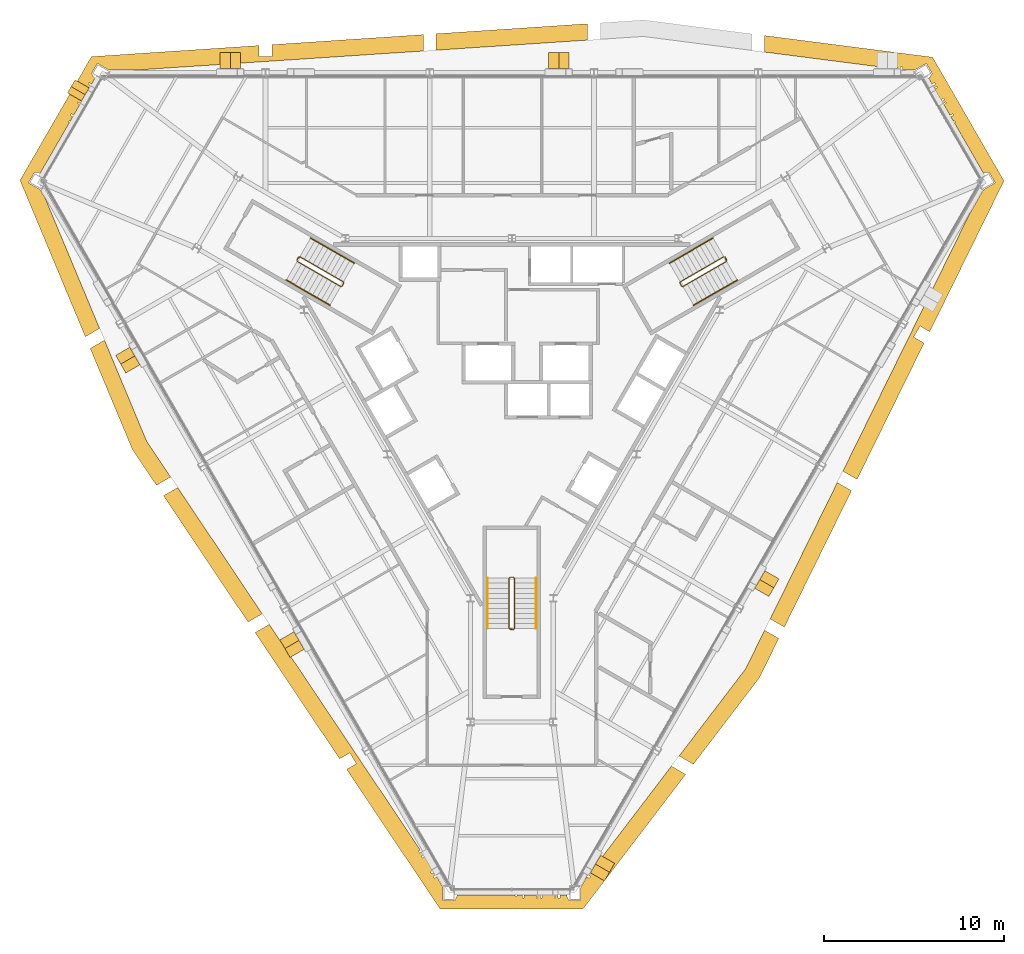
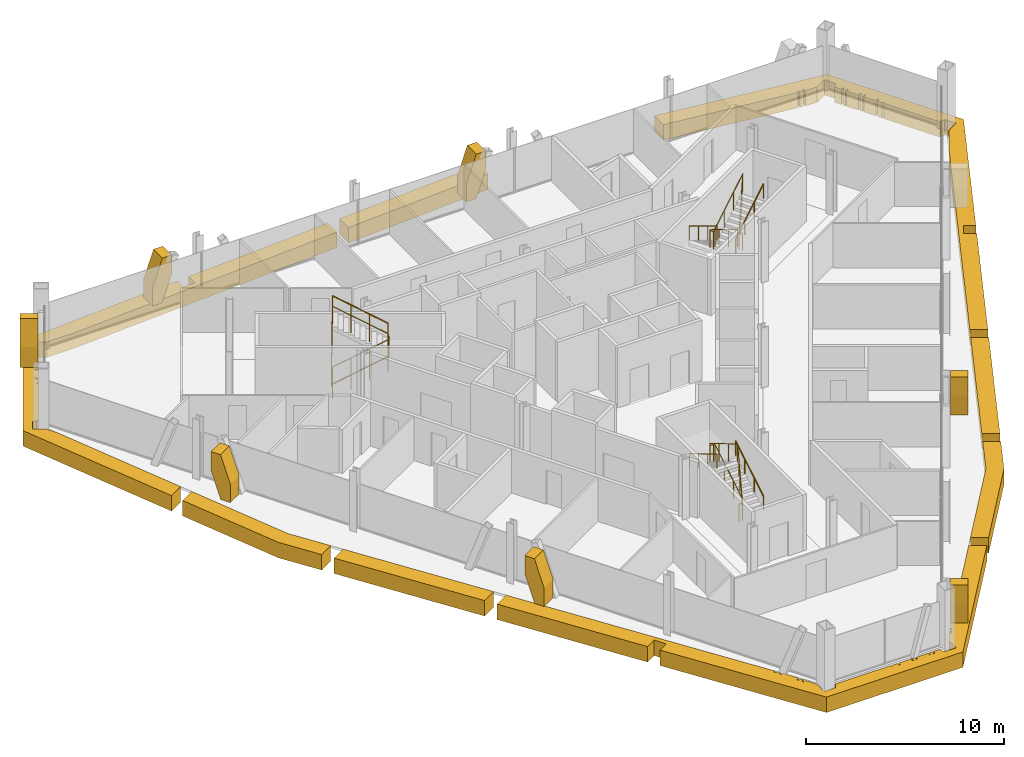
# One storey, part 14 of 15: 15 coverings, 9 railings.
"""IFC4 building model written with IfcOpenShell, lengths in metres."""

from ifc_helpers import new_model, si_unit, direction, frame, origin, origin_2d, place, context, subcontext, project, spatial, polyline, circle, outline, extrude, material, layer, layer_set, type_object, element, save


model = new_model("IFC4")

# Units and contexts
model_context = context("Model", 3, precision=1e-05, world=origin(), true_north=direction((0.0, 1.0)))
body_context = subcontext(model_context, "Body", "Model", "MODEL_VIEW")
ifc_project = project(units=[si_unit("LENGTHUNIT", "METRE"), si_unit("AREAUNIT", "SQUARE_METRE"), si_unit("VOLUMEUNIT", "CUBIC_METRE"), si_unit("PLANEANGLEUNIT", "RADIAN"), si_unit("MASSUNIT", "GRAM", prefix="KILO")], contexts=[model_context])

# Site, building, storey
site_placement = place(None, origin())
site = spatial("IfcSite", under=ifc_project, at=site_placement, CompositionType="ELEMENT")
building_placement = place(site_placement, origin())
building = spatial("IfcBuilding", under=site, at=building_placement, Name="Verrane Prism Tower", CompositionType="ELEMENT")
storey_placement = place(building_placement, frame((0.0, 0.0, 250.800048828125)))
storey = spatial("IfcBuildingStorey", under=building, at=storey_placement, Name="L63", CompositionType="ELEMENT", Elevation=250.800048828125)

# Railings
ifc_material_1 = material(Name="Steel A36 rail and posts, no infill", Category="steel")
railing_type_1 = type_object("IfcRailingType", Name="Stair guard 1100 steel rail and posts", PredefinedType="GUARDRAIL", material=ifc_material_1)
railing_1_placement = place(storey_placement, frame((11.78955078125, 6.97998046875, 0.168212890625)))
element("IfcRailing", 1, at=railing_1_placement, inside=storey, type_object=railing_type_1, Name="Stair 1 guard", PredefinedType="GUARDRAIL", context=body_context, shape_type="SweptSolid", body=[
    extrude(circle(Radius=0.02392578125, at=origin_2d()), frame((0.0, 0.0, 1.076171875), z_axis=(-0.742395268701, -0.428678701772, 0.514862928999), x_axis=(0.500049511043, -0.865996816683, 0.0)), (0.0, 0.0, 1.0), 3.26611328125),
    extrude(circle(Radius=0.02392578125, at=origin_2d()), frame((-2.4248046875, -1.400146484375, 2.7578125), z_axis=(-0.259601060869, -0.965715946433, 0.0), x_axis=(0.965715946433, -0.259601060869, 0.0)), (0.0, 0.0, 1.0), 0.070556640625),
    extrude(circle(Radius=0.02392578125, at=origin_2d()), frame((-2.443115234375, -1.46826171875, 2.7578125), z_axis=(0.499158860599, -0.866510491504, 0.0), x_axis=(0.866510491504, 0.499158860599, 0.0)), (0.0, 0.0, 1.0), 0.199951171875),
    extrude(circle(Radius=0.02392578125, at=origin_2d()), frame((-2.34326171875, -1.6416015625, 2.7578125), z_axis=(0.374585375571, -0.100335368456, 0.921747584887), x_axis=(0.258736085224, 0.965948051503, 0.0)), (0.0, 0.0, 1.0), 0.182373046875),
    extrude(circle(Radius=0.02392578125, at=origin_2d()), frame((-2.27490234375, -1.659912109375, 2.92578125), z_axis=(0.742366697286, 0.42866220388, 0.514917859203), x_axis=(-0.500049511043, 0.865996816683, 0.0)), (0.0, 0.0, 1.0), 3.266357421875),
    extrude(circle(Radius=0.02392578125, at=origin_2d()), frame((0.14990234375, -0.259765625, 4.60791015625), z_axis=(-0.021986835041, 0.065104730107, -0.997636182785), x_axis=(-0.947430582667, -0.3199613899, 0.0)), (0.0, 0.0, 1.0), 3.708740234375),
    extrude(circle(Radius=0.02392578125, at=origin_2d()), frame((0.068359375, -0.018310546875, 0.90771484375), z_axis=(0.499158860599, -0.866510491504, 0.0), x_axis=(0.866510491504, 0.499158860599, 0.0)), (0.0, 0.0, 1.0), 0.199951171875),
    extrude(circle(Radius=0.02099609375, at=origin_2d()), origin(), (0.0, 0.0, 1.0), 1.052001953125),
    extrude(circle(Radius=0.02099609375, at=origin_2d()), frame((-0.808349609375, -0.466796875, 0.560546875)), (0.0, 0.0, 1.0), 1.052001953125),
    extrude(circle(Radius=0.02099609375, at=origin_2d()), frame((-1.616455078125, -0.933349609375, 1.12109375)), (0.0, 0.0, 1.0), 1.052001953125),
    extrude(circle(Radius=0.02099609375, at=origin_2d()), frame((-2.4248046875, -1.400146484375, 1.681640625)), (0.0, 0.0, 1.0), 1.052001953125),
    extrude(circle(Radius=0.02099609375, at=origin_2d()), frame((-2.443115234375, -1.46826171875, 1.681640625)), (0.0, 0.0, 1.0), 1.052001953125),
    extrude(circle(Radius=0.02099609375, at=origin_2d()), frame((-2.34326171875, -1.6416015625, 1.681640625)), (0.0, 0.0, 1.0), 1.052001953125),
    extrude(circle(Radius=0.02099609375, at=origin_2d()), frame((-2.27490234375, -1.659912109375, 1.849853515625)), (0.0, 0.0, 1.0), 1.052001953125),
    extrude(circle(Radius=0.02099609375, at=origin_2d()), frame((-1.466552734375, -1.193115234375, 2.410400390625)), (0.0, 0.0, 1.0), 1.052001953125),
    extrude(circle(Radius=0.02099609375, at=origin_2d()), frame((-0.658447265625, -0.7265625, 2.97119140625)), (0.0, 0.0, 1.0), 1.052001953125),
    extrude(circle(Radius=0.02099609375, at=origin_2d()), frame((0.14990234375, -0.259765625, 3.53173828125)), (0.0, 0.0, 1.0), 1.052001953125),
    extrude(circle(Radius=0.02099609375, at=origin_2d()), frame((0.12939453125, -0.199462890625, 2.606689453125)), (0.0, 0.0, 1.0), 1.052001953125),
    extrude(circle(Radius=0.02099609375, at=origin_2d()), frame((0.109130859375, -0.13916015625, 1.681640625)), (0.0, 0.0, 1.0), 1.052001953125),
    extrude(circle(Radius=0.02099609375, at=origin_2d()), frame((0.0888671875, -0.07861328125, 0.7568359375)), (0.0, 0.0, 1.0), 1.052001953125),
    extrude(circle(Radius=0.02099609375, at=origin_2d()), frame((0.068359375, -0.018310546875, -0.168212890625)), (0.0, 0.0, 1.0), 1.052001953125),
    extrude(circle(Radius=0.02099609375, at=origin_2d()), frame((0.168212890625, -0.191650390625, -0.168212890625)), (0.0, 0.0, 1.0), 1.052001953125),
])
railing_2_placement = place(storey_placement, frame((-11.939453125, 6.72021484375, 0.168212890625)))
element("IfcRailing", 2, at=railing_2_placement, inside=storey, type_object=railing_type_1, Name="Stair 2 guard", PredefinedType="GUARDRAIL", context=body_context, shape_type="SweptSolid", body=[
    extrude(circle(Radius=0.02392578125, at=origin_2d()), frame((0.0, 0.0, 1.076171875), z_axis=(0.742395268701, -0.428678701772, 0.514862928999), x_axis=(0.500049511043, 0.865996816683, 0.0)), (0.0, 0.0, 1.0), 3.26611328125),
    extrude(circle(Radius=0.02392578125, at=origin_2d()), frame((2.4248046875, -1.400146484375, 2.7578125), z_axis=(0.965948051503, 0.258736085224, 0.0), x_axis=(-0.258736085224, 0.965948051503, 0.0)), (0.0, 0.0, 1.0), 0.07080078125),
    extrude(circle(Radius=0.02392578125, at=origin_2d()), frame((2.4931640625, -1.3818359375, 2.7578125), z_axis=(0.499158860599, 0.866510491504, 0.0), x_axis=(-0.866510491504, 0.499158860599, 0.0)), (0.0, 0.0, 1.0), 0.199951171875),
    extrude(circle(Radius=0.02392578125, at=origin_2d()), frame((2.593017578125, -1.20849609375, 2.7578125), z_axis=(-0.100385596638, 0.373434419493, 0.922209014446), x_axis=(-0.965715946433, -0.259601060869, 0.0)), (0.0, 0.0, 1.0), 0.182373046875),
    extrude(circle(Radius=0.02392578125, at=origin_2d()), frame((2.57470703125, -1.140380859375, 2.92578125), z_axis=(-0.742366697286, 0.42866220388, 0.514917859203), x_axis=(-0.500049511043, -0.865996816683, 0.0)), (0.0, 0.0, 1.0), 3.266357421875),
    extrude(circle(Radius=0.02392578125, at=origin_2d()), frame((0.14990234375, 0.259765625, 4.60791015625), z_axis=(-0.04535595117, -0.051675503147, -0.99763343973), x_axis=(0.751567565678, -0.659656118156, 0.0)), (0.0, 0.0, 1.0), 3.708740234375),
    extrude(circle(Radius=0.02392578125, at=origin_2d()), frame((-0.018310546875, 0.068115234375, 0.90771484375), z_axis=(0.499158860599, 0.866510491504, 0.0), x_axis=(-0.866510491504, 0.499158860599, 0.0)), (0.0, 0.0, 1.0), 0.199951171875),
    extrude(circle(Radius=0.02099609375, at=origin_2d()), origin(), (0.0, 0.0, 1.0), 1.052001953125),
    extrude(circle(Radius=0.02099609375, at=origin_2d()), frame((0.808349609375, -0.466796875, 0.560546875)), (0.0, 0.0, 1.0), 1.052001953125),
    extrude(circle(Radius=0.02099609375, at=origin_2d()), frame((1.616455078125, -0.933349609375, 1.12109375)), (0.0, 0.0, 1.0), 1.052001953125),
    extrude(circle(Radius=0.02099609375, at=origin_2d()), frame((2.4248046875, -1.400146484375, 1.681640625)), (0.0, 0.0, 1.0), 1.052001953125),
    extrude(circle(Radius=0.02099609375, at=origin_2d()), frame((2.4931640625, -1.3818359375, 1.681640625)), (0.0, 0.0, 1.0), 1.052001953125),
    extrude(circle(Radius=0.02099609375, at=origin_2d()), frame((2.593017578125, -1.20849609375, 1.681640625)), (0.0, 0.0, 1.0), 1.052001953125),
    extrude(circle(Radius=0.02099609375, at=origin_2d()), frame((2.57470703125, -1.140380859375, 1.849853515625)), (0.0, 0.0, 1.0), 1.052001953125),
    extrude(circle(Radius=0.02099609375, at=origin_2d()), frame((1.766357421875, -0.673583984375, 2.410400390625)), (0.0, 0.0, 1.0), 1.052001953125),
    extrude(circle(Radius=0.02099609375, at=origin_2d()), frame((0.958251953125, -0.20703125, 2.97119140625)), (0.0, 0.0, 1.0), 1.052001953125),
    extrude(circle(Radius=0.02099609375, at=origin_2d()), frame((0.14990234375, 0.259765625, 3.53173828125)), (0.0, 0.0, 1.0), 1.052001953125),
    extrude(circle(Radius=0.02099609375, at=origin_2d()), frame((0.10791015625, 0.2119140625, 2.606689453125)), (0.0, 0.0, 1.0), 1.052001953125),
    extrude(circle(Radius=0.02099609375, at=origin_2d()), frame((0.06591796875, 0.1640625, 1.681640625)), (0.0, 0.0, 1.0), 1.052001953125),
    extrude(circle(Radius=0.02099609375, at=origin_2d()), frame((0.023681640625, 0.115966796875, 0.7568359375)), (0.0, 0.0, 1.0), 1.052001953125),
    extrude(circle(Radius=0.02099609375, at=origin_2d()), frame((-0.018310546875, 0.068115234375, -0.168212890625)), (0.0, 0.0, 1.0), 1.052001953125),
    extrude(circle(Radius=0.02099609375, at=origin_2d()), frame((0.08154296875, 0.241455078125, -0.168212890625)), (0.0, 0.0, 1.0), 1.052001953125),
])
railing_3_placement = place(storey_placement, frame((0.14990234375, -13.699951171875, 0.168212890625)))
element("IfcRailing", 3, at=railing_3_placement, inside=storey, type_object=railing_type_1, Name="Stair 3 guard", PredefinedType="GUARDRAIL", context=body_context, shape_type="SweptSolid", body=[
    extrude(circle(Radius=0.02392578125, at=origin_2d()), frame((0.0, 0.0, 1.076171875), z_axis=(0.0, 0.857275202839, 0.514858452973), x_axis=(-1.0, 0.0, 0.0)), (0.0, 0.0, 1.0), 3.26611328125),
    extrude(circle(Radius=0.02392578125, at=origin_2d()), frame((0.0, 2.800048828125, 2.7578125), z_axis=(-0.707106781187, 0.707106781187, 0.0), x_axis=(-0.707106781187, -0.707106781187, 0.0)), (0.0, 0.0, 1.0), 0.0703125),
    extrude(circle(Radius=0.02392578125, at=origin_2d()), frame((-0.0498046875, 2.849853515625, 2.7578125), z_axis=(-1.0, 0.0, 0.0), x_axis=(0.0, -1.0, 0.0)), (0.0, 0.0, 1.0), 0.2001953125),
    extrude(circle(Radius=0.02392578125, at=origin_2d()), frame((-0.25, 2.849853515625, 2.7578125), z_axis=(-0.273106073848, -0.273106073848, 0.922402376869), x_axis=(0.707106781187, -0.707106781187, 0.0)), (0.0, 0.0, 1.0), 0.182373046875),
    extrude(circle(Radius=0.02392578125, at=origin_2d()), frame((-0.2998046875, 2.800048828125, 2.92578125), z_axis=(0.0, -0.857242210791, 0.514913383045), x_axis=(1.0, 0.0, 0.0)), (0.0, 0.0, 1.0), 3.266357421875),
    extrude(circle(Radius=0.02392578125, at=origin_2d()), frame((-0.2998046875, 0.0, 4.60791015625), z_axis=(0.067408604812, -0.013494886706, -0.997634185476), x_axis=(0.196300278283, 0.98054382908, 0.0)), (0.0, 0.0, 1.0), 3.708740234375),
    extrude(circle(Radius=0.02392578125, at=origin_2d()), frame((-0.0498046875, -0.050048828125, 0.90771484375), z_axis=(-1.0, 0.0, 0.0), x_axis=(0.0, -1.0, 0.0)), (0.0, 0.0, 1.0), 0.2001953125),
    extrude(circle(Radius=0.02099609375, at=origin_2d()), origin(), (0.0, 0.0, 1.0), 1.052001953125),
    extrude(circle(Radius=0.02099609375, at=origin_2d()), frame((0.0, 0.933349609375, 0.560546875)), (0.0, 0.0, 1.0), 1.052001953125),
    extrude(circle(Radius=0.02099609375, at=origin_2d()), frame((0.0, 1.86669921875, 1.12109375)), (0.0, 0.0, 1.0), 1.052001953125),
    extrude(circle(Radius=0.02099609375, at=origin_2d()), frame((0.0, 2.800048828125, 1.681640625)), (0.0, 0.0, 1.0), 1.052001953125),
    extrude(circle(Radius=0.02099609375, at=origin_2d()), frame((-0.0498046875, 2.849853515625, 1.681640625)), (0.0, 0.0, 1.0), 1.052001953125),
    extrude(circle(Radius=0.02099609375, at=origin_2d()), frame((-0.25, 2.849853515625, 1.681640625)), (0.0, 0.0, 1.0), 1.052001953125),
    extrude(circle(Radius=0.02099609375, at=origin_2d()), frame((-0.2998046875, 2.800048828125, 1.849853515625)), (0.0, 0.0, 1.0), 1.052001953125),
    extrude(circle(Radius=0.02099609375, at=origin_2d()), frame((-0.2998046875, 1.86669921875, 2.410400390625)), (0.0, 0.0, 1.0), 1.052001953125),
    extrude(circle(Radius=0.02099609375, at=origin_2d()), frame((-0.2998046875, 0.933349609375, 2.97119140625)), (0.0, 0.0, 1.0), 1.052001953125),
    extrude(circle(Radius=0.02099609375, at=origin_2d()), frame((-0.2998046875, 0.0, 3.53173828125)), (0.0, 0.0, 1.0), 1.052001953125),
    extrude(circle(Radius=0.02099609375, at=origin_2d()), frame((-0.2373046875, -0.012451171875, 2.606689453125)), (0.0, 0.0, 1.0), 1.052001953125),
    extrude(circle(Radius=0.02099609375, at=origin_2d()), frame((-0.1748046875, -0.02490234375, 1.681640625)), (0.0, 0.0, 1.0), 1.052001953125),
    extrude(circle(Radius=0.02099609375, at=origin_2d()), frame((-0.1123046875, -0.03759765625, 0.7568359375)), (0.0, 0.0, 1.0), 1.052001953125),
    extrude(circle(Radius=0.02099609375, at=origin_2d()), frame((-0.0498046875, -0.050048828125, -0.168212890625)), (0.0, 0.0, 1.0), 1.052001953125),
    extrude(circle(Radius=0.02099609375, at=origin_2d()), frame((-0.25, -0.050048828125, -0.168212890625)), (0.0, 0.0, 1.0), 1.052001953125),
])
ifc_material_2 = material(Name="Steel A36 tube", Category="steel")
railing_type_2 = type_object("IfcRailingType", Name="Stair handrail 900 steel tube", PredefinedType="HANDRAIL", material=ifc_material_2)
railing_4_placement = place(storey_placement, frame((11.189453125, 8.01904296875, 0.168212890625)))
element("IfcRailing", 4, at=railing_4_placement, inside=storey, type_object=railing_type_2, Name="Stair 1 handrail", PredefinedType="HANDRAIL", context=body_context, shape_type="SweptSolid", body=[
    extrude(circle(Radius=0.02392578125, at=origin_2d()), frame((0.0, 0.0, 0.8759765625), z_axis=(-0.74241905619, -0.428617687091, 0.514879426), x_axis=(0.49998411664, -0.866034573852, 0.0)), (0.0, 0.0, 1.0), 3.26611328125),
    extrude(circle(Radius=0.02099609375, at=origin_2d()), origin(), (0.0, 0.0, 1.0), 0.851806640625),
    extrude(circle(Radius=0.02099609375, at=origin_2d()), frame((-0.808349609375, -0.466552734375, 0.560546875)), (0.0, 0.0, 1.0), 0.851806640625),
    extrude(circle(Radius=0.02099609375, at=origin_2d()), frame((-1.616455078125, -0.933349609375, 1.12109375)), (0.0, 0.0, 1.0), 0.851806640625),
    extrude(circle(Radius=0.02099609375, at=origin_2d()), frame((-2.4248046875, -1.39990234375, 1.681640625)), (0.0, 0.0, 1.0), 0.851806640625),
])
railing_5_placement = place(storey_placement, frame((10.11474609375, 4.28076171875, 2.01806640625)))
element("IfcRailing", 5, at=railing_5_placement, inside=storey, type_object=railing_type_2, Name="Stair 1 handrail", PredefinedType="HANDRAIL", context=body_context, shape_type="SweptSolid", body=[
    extrude(circle(Radius=0.02392578125, at=origin_2d()), frame((0.0, 0.0, 0.8759765625), z_axis=(0.742366697286, 0.42866220388, 0.514917859203), x_axis=(-0.500049511043, 0.865996816683, 0.0)), (0.0, 0.0, 1.0), 3.266357421875),
    extrude(circle(Radius=0.02099609375, at=origin_2d()), origin(), (0.0, 0.0, 1.0), 0.851806640625),
    extrude(circle(Radius=0.02099609375, at=origin_2d()), frame((0.808349609375, 0.466796875, 0.560546875)), (0.0, 0.0, 1.0), 0.851806640625),
    extrude(circle(Radius=0.02099609375, at=origin_2d()), frame((1.616455078125, 0.933349609375, 1.121337890625)), (0.0, 0.0, 1.0), 0.851806640625),
    extrude(circle(Radius=0.02099609375, at=origin_2d()), frame((2.4248046875, 1.400146484375, 1.681884765625)), (0.0, 0.0, 1.0), 0.851806640625),
])
railing_6_placement = place(storey_placement, frame((-12.53955078125, 5.680908203125, 0.168212890625)))
element("IfcRailing", 6, at=railing_6_placement, inside=storey, type_object=railing_type_2, Name="Stair 2 handrail", PredefinedType="HANDRAIL", context=body_context, shape_type="SweptSolid", body=[
    extrude(circle(Radius=0.02392578125, at=origin_2d()), frame((0.0, 0.0, 0.8759765625), z_axis=(0.742395268701, -0.428678701772, 0.514862928999), x_axis=(0.500049511043, 0.865996816683, 0.0)), (0.0, 0.0, 1.0), 3.26611328125),
    extrude(circle(Radius=0.02099609375, at=origin_2d()), origin(), (0.0, 0.0, 1.0), 0.851806640625),
    extrude(circle(Radius=0.02099609375, at=origin_2d()), frame((0.808349609375, -0.466796875, 0.560546875)), (0.0, 0.0, 1.0), 0.851806640625),
    extrude(circle(Radius=0.02099609375, at=origin_2d()), frame((1.616455078125, -0.933349609375, 1.12109375)), (0.0, 0.0, 1.0), 0.851806640625),
    extrude(circle(Radius=0.02099609375, at=origin_2d()), frame((2.4248046875, -1.400146484375, 1.681640625)), (0.0, 0.0, 1.0), 0.851806640625),
])
railing_7_placement = place(storey_placement, frame((-8.7646484375, 6.619140625, 2.01806640625)))
element("IfcRailing", 7, at=railing_7_placement, inside=storey, type_object=railing_type_2, Name="Stair 2 handrail", PredefinedType="HANDRAIL", context=body_context, shape_type="SweptSolid", body=[
    extrude(circle(Radius=0.02392578125, at=origin_2d()), frame((0.0, 0.0, 0.8759765625), z_axis=(-0.742390482028, 0.42860119049, 0.514934356695), x_axis=(-0.49998411664, -0.866034573852, 0.0)), (0.0, 0.0, 1.0), 3.26611328125),
    extrude(circle(Radius=0.02099609375, at=origin_2d()), origin(), (0.0, 0.0, 1.0), 0.851806640625),
    extrude(circle(Radius=0.02099609375, at=origin_2d()), frame((-0.808349609375, 0.466552734375, 0.560546875)), (0.0, 0.0, 1.0), 0.851806640625),
    extrude(circle(Radius=0.02099609375, at=origin_2d()), frame((-1.616455078125, 0.933349609375, 1.121337890625)), (0.0, 0.0, 1.0), 0.851806640625),
    extrude(circle(Radius=0.02099609375, at=origin_2d()), frame((-2.4248046875, 1.39990234375, 1.681884765625)), (0.0, 0.0, 1.0), 0.851806640625),
])
railing_8_placement = place(storey_placement, frame((1.35009765625, -13.699951171875, 0.168212890625)))
element("IfcRailing", 8, at=railing_8_placement, inside=storey, type_object=railing_type_2, Name="Stair 3 handrail", PredefinedType="HANDRAIL", context=body_context, shape_type="SweptSolid", body=[
    extrude(circle(Radius=0.02392578125, at=origin_2d()), frame((0.0, 0.0, 0.8759765625), z_axis=(0.0, 0.857275202839, 0.514858452973), x_axis=(-1.0, 0.0, 0.0)), (0.0, 0.0, 1.0), 3.26611328125),
    extrude(circle(Radius=0.02099609375, at=origin_2d()), origin(), (0.0, 0.0, 1.0), 0.851806640625),
    extrude(circle(Radius=0.02099609375, at=origin_2d()), frame((0.0, 0.933349609375, 0.560546875)), (0.0, 0.0, 1.0), 0.851806640625),
    extrude(circle(Radius=0.02099609375, at=origin_2d()), frame((0.0, 1.86669921875, 1.12109375)), (0.0, 0.0, 1.0), 0.851806640625),
    extrude(circle(Radius=0.02099609375, at=origin_2d()), frame((0.0, 2.800048828125, 1.681640625)), (0.0, 0.0, 1.0), 0.851806640625),
])
railing_9_placement = place(storey_placement, frame((-1.35009765625, -10.89990234375, 2.01806640625)))
element("IfcRailing", 9, at=railing_9_placement, inside=storey, type_object=railing_type_2, Name="Stair 3 handrail", PredefinedType="HANDRAIL", context=body_context, shape_type="SweptSolid", body=[
    extrude(circle(Radius=0.02392578125, at=origin_2d()), frame((0.0, 0.0, 0.8759765625), z_axis=(0.0, -0.857242210791, 0.514913383045), x_axis=(1.0, 0.0, 0.0)), (0.0, 0.0, 1.0), 3.266357421875),
    extrude(circle(Radius=0.02099609375, at=origin_2d()), origin(), (0.0, 0.0, 1.0), 0.851806640625),
    extrude(circle(Radius=0.02099609375, at=origin_2d()), frame((0.0, -0.933349609375, 0.560546875)), (0.0, 0.0, 1.0), 0.851806640625),
    extrude(circle(Radius=0.02099609375, at=origin_2d()), frame((0.0, -1.86669921875, 1.121337890625)), (0.0, 0.0, 1.0), 0.851806640625),
    extrude(circle(Radius=0.02099609375, at=origin_2d()), frame((0.0, -2.800048828125, 1.681884765625)), (0.0, 0.0, 1.0), 0.851806640625),
])

# Coverings
ifc_material_3 = material(Name="Warm limestone cladding", Category="masonry")
ifc_layer_1 = layer(ifc_material_3, 0.89990234375)
ifc_layer_set_1 = layer_set([ifc_layer_1], Name="Stone brace fin 900")
covering_type_1 = type_object("IfcCoveringType", Name="Stone brace fin 900", PredefinedType="CLADDING", material=ifc_layer_set_1)
for number, where, z_axis, x_axis, name in (
    (10, (2.047607421875, 17.88330078125, 0.0), (0.0, 0.0, 1.0), (1.0, 0.0, 0.0), "Stone brace fin N3 L63"),
    (11, (-16.222412109375, 17.88330078125, 0.0), (0.0, 0.0, 1.0), (1.0, 0.0, 0.0), "Stone brace fin N5 L63"),
):
    element("IfcCovering", number, at=place(storey_placement, frame(where, z_axis=z_axis, x_axis=x_axis)), inside=storey, type_object=covering_type_1, Name=name, PredefinedType="CLADDING", context=body_context, shape_type="SweptSolid", body=[
        extrude(outline(polyline([(1.1279296875, 2.75), (0.569580078125, 2.75), (0.0, 1.135498046875), (0.0, 0.0), (0.5537109375, 0.0), (1.1279296875, 1.627197265625), (1.1279296875, 2.75)])), frame((0.0, 0.449951171875, 0.0), z_axis=(0.0, -1.0, 0.0), x_axis=(1.0, 0.0, 0.0)), (0.0, 0.0, 1.0), 0.89990234375),
    ])
covering_1_placement = place(storey_placement, frame((-21.077392578125, 0.74072265625, 0.0), z_axis=(0.0, 0.0, 1.0), x_axis=(-0.4994723123, 0.866329850141, 0.0)))
element("IfcCovering", 12, at=covering_1_placement, inside=storey, type_object=covering_type_1, Name="Stone brace fin SW2 L63", PredefinedType="CLADDING", context=body_context, shape_type="SweptSolid", body=[
    extrude(outline(polyline([(1.126708984375, 2.75), (0.568603515625, 2.75), (0.0, 1.13671875), (0.0, 0.0), (0.553466796875, 0.0), (1.126708984375, 1.6259765625), (1.126708984375, 2.75)])), frame((0.0, 0.449951171875, 0.0), z_axis=(0.0, -1.0, 0.0), x_axis=(1.0, 0.0, 0.0)), (0.0, 0.0, 1.0), 0.89990234375),
])
for number, where, z_axis, x_axis, name in (
    (13, (-11.9443359375, -15.079833984375, 0.0), (0.0, 0.0, 1.0), (-0.500284814302, 0.865860903713, 0.0), "Stone brace fin SW4 L63"),
    (14, (5.326904296875, -26.53369140625, 0.0), (0.0, 0.0, 1.0), (-0.500191014278, -0.865915093549, 0.0), "Stone brace fin SE1 L63"),
    (15, (14.466796875, -10.713623046875, 0.0), (0.0, 0.0, 1.0), (-0.500191014278, -0.865915093549, 0.0), "Stone brace fin SE3 L63"),
):
    element("IfcCovering", number, at=place(storey_placement, frame(where, z_axis=z_axis, x_axis=x_axis)), inside=storey, type_object=covering_type_1, Name=name, PredefinedType="CLADDING", context=body_context, shape_type="SweptSolid", body=[
        extrude(outline(polyline([(1.12744140625, 2.75), (0.5693359375, 2.75), (0.0, 1.135986328125), (0.0, 0.0), (0.5537109375, 0.0), (1.12744140625, 1.626708984375), (1.12744140625, 2.75)])), frame((0.0, 0.449951171875, 0.0), z_axis=(0.0, -1.0, 0.0), x_axis=(1.0, 0.0, 0.0)), (0.0, 0.0, 1.0), 0.89990234375),
    ])
covering_2_placement = place(storey_placement, frame((-24.322021484375, 15.865966796875, 0.0), z_axis=(0.0, 0.0, 1.0), x_axis=(0.499605169263, 0.866253239443, 0.0)))
element("IfcCovering", 16, at=covering_2_placement, inside=storey, type_object=covering_type_1, Name="Stone brace fin NW1 L63", PredefinedType="CLADDING", context=body_context, shape_type="SweptSolid", body=[
    extrude(outline(polyline([(0.8408203125, 2.75), (0.40380859375, 2.75), (0.0, 1.25732421875), (0.0, 0.0), (0.471435546875, 0.0), (0.8408203125, 1.365478515625), (0.8408203125, 2.75)])), frame((0.0, 0.449951171875, 0.0), z_axis=(0.0, -1.0, 0.0), x_axis=(1.0, 0.0, 0.0)), (0.0, 0.0, 1.0), 0.89990234375),
])
ifc_material_4 = material(Name="Warm limestone cladding", Category="masonry")
ifc_layer_2 = layer(ifc_material_4, 0.449951171875)
ifc_layer_set_2 = layer_set([ifc_layer_2], Name="Stone spandrel band 450")
covering_type_2 = type_object("IfcCoveringType", Name="Stone spandrel band 450", PredefinedType="CLADDING", material=ifc_layer_set_2)
covering_3_placement = place(storey_placement, frame((0.0, 0.0, -0.949951171875)))
element("IfcCovering", 17, at=covering_3_placement, inside=storey, type_object=covering_type_2, Name="Stone spandrel band L63 part 1", PredefinedType="CLADDING", context=body_context, shape_type="SweptSolid", body=[
    extrude(outline(polyline([(14.05224609375, 18.361328125), (21.3291015625, 17.42431640625), (21.3291015625, 17.530029296875), (21.4453125, 17.530029296875), (21.4453125, 17.4091796875), (21.621826171875, 17.386474609375), (21.621826171875, 17.530029296875), (21.732177734375, 17.530029296875), (21.732177734375, 17.372314453125), (21.8017578125, 17.36328125), (22.410888671875, 17.36328125), (23.04736328125, 17.730712890625), (23.37744140625, 17.1591796875), (23.3583984375, 17.148193359375), (23.24755859375, 16.958984375), (23.172607421875, 16.915771484375), (23.3701171875, 16.573486328125), (23.51611328125, 16.65771484375), (23.56103515625, 16.579833984375), (23.4150390625, 16.495849609375), (23.493896484375, 16.359130859375), (23.639892578125, 16.443359375), (23.6689453125, 16.392822265625), (23.523193359375, 16.30859375), (23.867919921875, 15.711181640625), (24.013671875, 15.795166015625), (24.059814453125, 15.715087890625), (23.914306640625, 15.631103515625), (23.994384765625, 15.492431640625), (24.139892578125, 15.576171875), (24.1689453125, 15.525634765625), (24.023681640625, 15.44189453125), (24.368408203125, 14.844482421875), (24.513671875, 14.927978515625), (24.559814453125, 14.84765625), (24.414794921875, 14.76416015625), (24.551513671875, 14.52734375), (24.67138671875, 14.502685546875), (24.656494140625, 14.430908203125), (24.6005859375, 14.4423828125), (26.237060546875, 11.60791015625), (26.3095703125, 11.64990234375), (26.5283203125, 11.64990234375), (26.54736328125, 11.660888671875), (26.87744140625, 11.089111328125), (26.239013671875, 10.720703125), (25.45068359375, 9.355224609375), (18.409912109375, -4.95068359375), (19.19970703125, -5.40673828125), (22.932373046875, 2.177978515625), (22.354248046875, 2.51171875), (22.704345703125, 3.117919921875), (23.2421875, 2.807373046875), (27.37109375, 11.19677734375), (23.39990234375, 18.07470703125), (14.05224609375, 19.27880859375), (14.05224609375, 18.361328125)])), origin(), (0.0, 0.0, 1.0), 0.949951171875),
])
covering_4_placement = place(storey_placement, frame((0.0, 0.0, -0.949951171875)))
element("IfcCovering", 18, at=covering_4_placement, inside=storey, type_object=covering_type_2, Name="Stone spandrel band L63 part 2", PredefinedType="CLADDING", context=body_context, shape_type="SweptSolid", body=[
    extrude(outline(polyline([(-22.927490234375, 2.989013671875), (-25.93798828125, 10.19921875), (-26.239013671875, 10.720703125), (-26.87744140625, 11.089111328125), (-26.54736328125, 11.660888671875), (-26.5283203125, 11.64990234375), (-26.3095703125, 11.64990234375), (-26.237060546875, 11.60791015625), (-24.6005859375, 14.4423828125), (-24.656494140625, 14.430908203125), (-24.67138671875, 14.502685546875), (-24.551513671875, 14.52734375), (-24.414794921875, 14.76416015625), (-24.559814453125, 14.84765625), (-24.513671875, 14.927978515625), (-24.368408203125, 14.844482421875), (-24.023681640625, 15.44189453125), (-24.1689453125, 15.525634765625), (-24.139892578125, 15.576171875), (-23.994384765625, 15.492431640625), (-23.914306640625, 15.631103515625), (-24.059814453125, 15.715087890625), (-24.013671875, 15.795166015625), (-23.867919921875, 15.711181640625), (-23.523193359375, 16.30859375), (-23.6689453125, 16.392822265625), (-23.639892578125, 16.443359375), (-23.493896484375, 16.359130859375), (-23.4150390625, 16.495849609375), (-23.56103515625, 16.579833984375), (-23.51611328125, 16.65771484375), (-23.3701171875, 16.573486328125), (-23.172607421875, 16.915771484375), (-23.24755859375, 16.958984375), (-23.3583984375, 17.148193359375), (-23.37744140625, 17.1591796875), (-23.04736328125, 17.730712890625), (-22.410888671875, 17.36328125), (-20.827392578125, 17.36328125), (-4.91748046875, 18.4189453125), (-4.91748046875, 19.330810546875), (-13.352294921875, 18.77099609375), (-13.352294921875, 18.10986328125), (-14.05224609375, 18.10986328125), (-14.05224609375, 18.724609375), (-23.382080078125, 18.105712890625), (-27.353271484375, 11.2275390625), (-23.721923828125, 2.530517578125), (-22.927490234375, 2.989013671875)])), origin(), (0.0, 0.0, 1.0), 0.949951171875),
])
covering_5_placement = place(storey_placement, frame((0.0, 0.0, -0.949951171875)))
element("IfcCovering", 19, at=covering_5_placement, inside=storey, type_object=covering_type_2, Name="Stone spandrel band L63 part 3", PredefinedType="CLADDING", context=body_context, shape_type="SweptSolid", body=[
    extrude(outline(polyline([(3.953369140625, -29.302490234375), (9.669677734375, -21.80908203125), (8.875244140625, -21.350341796875), (4.427001953125, -27.181396484375), (4.51513671875, -27.232421875), (4.45703125, -27.333251953125), (4.355712890625, -27.274658203125), (4.248046875, -27.416015625), (4.369140625, -27.4853515625), (4.314208984375, -27.581298828125), (4.180419921875, -27.50439453125), (4.13623046875, -27.5625), (3.830078125, -28.093017578125), (3.830078125, -28.820068359375), (3.169921875, -28.820068359375), (3.169921875, -28.7978515625), (3.06201171875, -28.60888671875), (3.06201171875, -28.52587890625), (2.66748046875, -28.52587890625), (2.66748046875, -28.68994140625), (2.57763671875, -28.68994140625), (2.57763671875, -28.52587890625), (2.419921875, -28.52587890625), (2.419921875, -28.68994140625), (2.36181640625, -28.68994140625), (2.36181640625, -28.52587890625), (1.672607421875, -28.52587890625), (1.672607421875, -28.68994140625), (1.580078125, -28.68994140625), (1.580078125, -28.52587890625), (1.419921875, -28.52587890625), (1.419921875, -28.68994140625), (1.36181640625, -28.68994140625), (1.36181640625, -28.52587890625), (0.672607421875, -28.52587890625), (0.672607421875, -28.68994140625), (0.580078125, -28.68994140625), (0.580078125, -28.52587890625), (0.304443359375, -28.52587890625), (0.225830078125, -28.61474609375), (0.1708984375, -28.566162109375), (0.20654296875, -28.52587890625), (-3.06201171875, -28.52587890625), (-3.06201171875, -28.60888671875), (-3.169921875, -28.7978515625), (-3.169921875, -28.820068359375), (-3.830078125, -28.820068359375), (-3.830078125, -28.093017578125), (-4.17236328125, -27.499755859375), (-4.314208984375, -27.581298828125), (-4.369140625, -27.4853515625), (-4.2275390625, -27.404296875), (-4.31591796875, -27.25146484375), (-4.45703125, -27.333251953125), (-4.51513671875, -27.232421875), (-4.373779296875, -27.15087890625), (-4.623291015625, -26.718505859375), (-4.8466796875, -26.38525390625), (-4.965087890625, -26.45361328125), (-5.02099609375, -26.35693359375), (-4.908935546875, -26.292236328125), (-5.02001953125, -26.126220703125), (-5.125244140625, -26.173828125), (-5.175537109375, -26.06298828125), (-5.088623046875, -26.023681640625), (-13.492431640625, -13.468017578125), (-14.2822265625, -13.924072265625), (-9.580078125, -20.948974609375), (-9.003662109375, -20.6162109375), (-8.65380859375, -21.222412109375), (-9.189697265625, -21.531982421875), (-3.98876953125, -29.302490234375), (3.953369140625, -29.302490234375)])), origin(), (0.0, 0.0, 1.0), 0.949951171875),
])
covering_6_placement = place(storey_placement, frame((0.0, 0.0, -0.949951171875)))
element("IfcCovering", 20, at=covering_6_placement, inside=storey, type_object=covering_type_2, Name="Stone spandrel band L63 part 4", PredefinedType="CLADDING", context=body_context, shape_type="SweptSolid", body=[
    extrude(outline(polyline([(-19.7646484375, -5.73291015625), (-18.97509765625, -5.277099609375), (-20.3076171875, -3.2861328125), (-22.65576171875, 2.337646484375), (-23.4501953125, 1.879150390625), (-21.113037109375, -3.718505859375), (-19.7646484375, -5.73291015625)])), origin(), (0.0, 0.0, 1.0), 0.949951171875),
])
covering_7_placement = place(storey_placement, frame((0.0, 0.0, -0.949951171875)))
element("IfcCovering", 21, at=covering_7_placement, inside=storey, type_object=covering_type_2, Name="Stone spandrel band L63 part 5", PredefinedType="CLADDING", context=body_context, shape_type="SweptSolid", body=[
    extrude(outline(polyline([(-14.67236328125, -13.341064453125), (-13.8828125, -12.885009765625), (-18.584716796875, -5.860107421875), (-19.37451171875, -6.31591796875), (-14.67236328125, -13.341064453125)])), origin(), (0.0, 0.0, 1.0), 0.949951171875),
])
covering_8_placement = place(storey_placement, frame((0.0, 0.0, -0.949951171875)))
element("IfcCovering", 22, at=covering_8_placement, inside=storey, type_object=covering_type_2, Name="Stone spandrel band L63 part 6", PredefinedType="CLADDING", context=body_context, shape_type="SweptSolid", body=[
    extrude(outline(polyline([(14.84716796875, -14.250244140625), (14.0576171875, -13.794189453125), (12.999755859375, -15.94384765625), (9.30322265625, -20.789306640625), (10.09765625, -21.247802734375), (13.77685546875, -16.425048828125), (14.84716796875, -14.250244140625)])), origin(), (0.0, 0.0, 1.0), 0.949951171875),
])
covering_9_placement = place(storey_placement, frame((0.0, 0.0, -0.949951171875)))
element("IfcCovering", 23, at=covering_9_placement, inside=storey, type_object=covering_type_2, Name="Stone spandrel band L63 part 7", PredefinedType="CLADDING", context=body_context, shape_type="SweptSolid", body=[
    extrude(outline(polyline([(18.10009765625, -5.580322265625), (14.367431640625, -13.164794921875), (15.156982421875, -13.620849609375), (18.889892578125, -6.0361328125), (18.10009765625, -5.580322265625)])), origin(), (0.0, 0.0, 1.0), 0.949951171875),
])
covering_10_placement = place(storey_placement, frame((0.0, 0.0, -0.949951171875)))
element("IfcCovering", 24, at=covering_10_placement, inside=storey, type_object=covering_type_2, Name="Stone spandrel band L63 part 9", PredefinedType="CLADDING", context=body_context, shape_type="SweptSolid", body=[
    extrude(outline(polyline([(-4.21728515625, 18.46533203125), (4.21728515625, 19.02490234375), (4.21728515625, 19.936767578125), (-4.21728515625, 19.377197265625), (-4.21728515625, 18.46533203125)])), origin(), (0.0, 0.0, 1.0), 0.949951171875),
])

save(model, "model.ifc")
